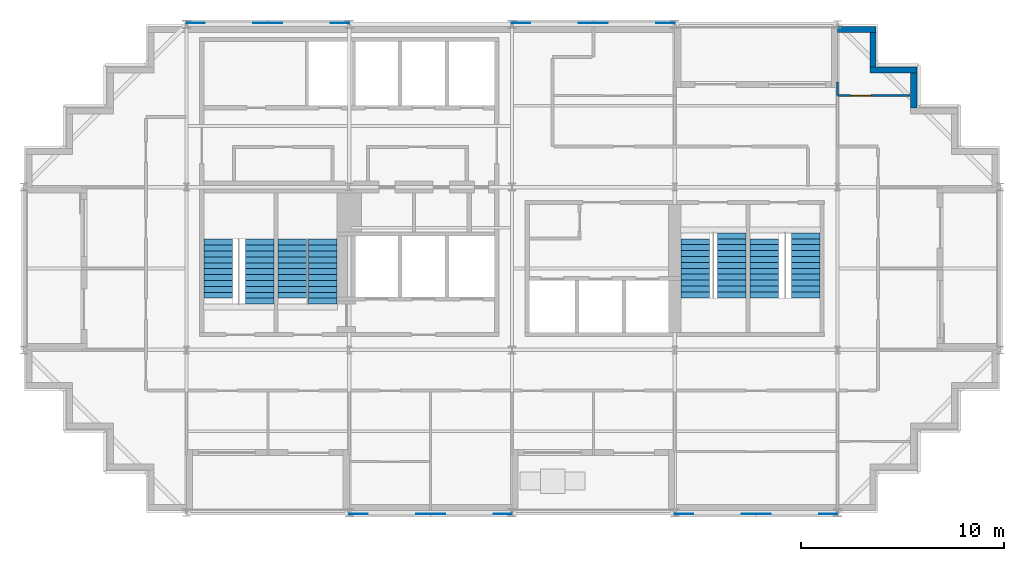
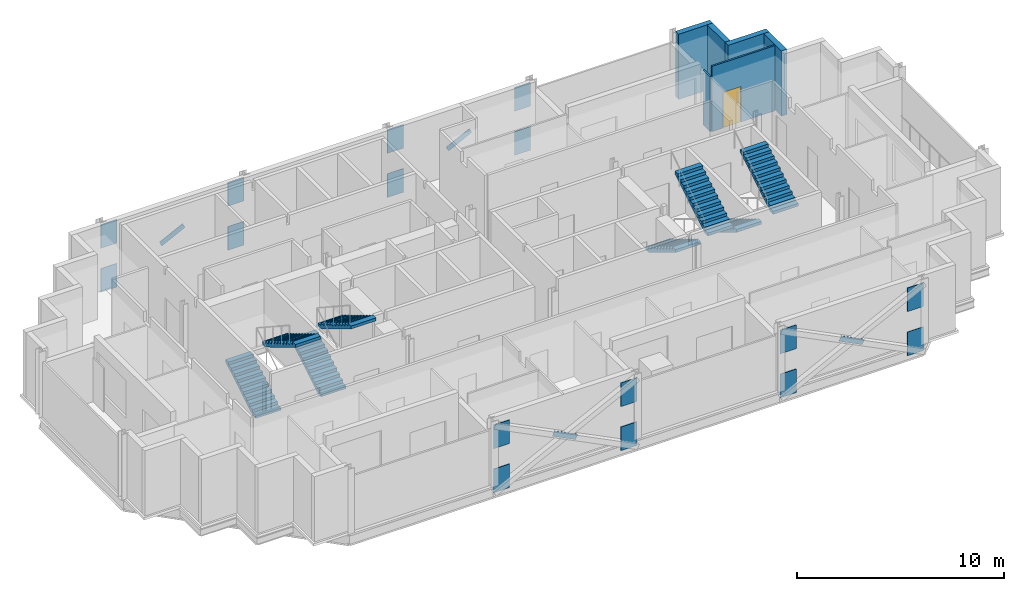
# One storey, part 8 of 10: 20 discrete accessories, 8 stair flights, 6 walls, 1 door, 1 opening, 4 elements without a shape of their own.
"""IFC4 building model written with IfcOpenShell, lengths in metres."""

from ifc_helpers import new_model, si_unit, direction, frame, frame_2d, origin, origin_2d, place, context, subcontext, project, spatial, polyline, rectangle, outline, extrude, material, layer, layer_set, material_profile, profile_set, type_object, element, fill, aggregate, save


model = new_model("IFC4")

# Units and contexts
model_context = context("Model", 3, precision=1e-05, world=origin(), true_north=direction((0.0, 1.0)))
body_context = subcontext(model_context, "Body", "Model", "MODEL_VIEW")
ifc_project = project(units=[si_unit("LENGTHUNIT", "METRE"), si_unit("AREAUNIT", "SQUARE_METRE"), si_unit("VOLUMEUNIT", "CUBIC_METRE"), si_unit("PLANEANGLEUNIT", "RADIAN"), si_unit("MASSUNIT", "GRAM", prefix="KILO")], contexts=[model_context])

# Site, building, storey
site_placement = place(None, origin())
site = spatial("IfcSite", under=ifc_project, at=site_placement, CompositionType="ELEMENT")
building_placement = place(site_placement, origin())
building = spatial("IfcBuilding", under=site, at=building_placement, Name="Immortelle Media Tower", CompositionType="ELEMENT")
storey_placement = place(building_placement, frame((0.0, 0.0, 283.0)))
storey = spatial("IfcBuildingStorey", under=building, at=storey_placement, Name="L62", CompositionType="ELEMENT", Elevation=283.0)

# Walls
ifc_material_1 = material(Name="Pale aluminium cladding panel", Category="aluminium")
ifc_layer_1 = layer(ifc_material_1, 0.030029296875)
ifc_material_2 = material(Name="Steel ASTM A653 SS Gr 50 stud frame with mineral wool", Category="steel")
ifc_layer_2 = layer(ifc_material_2, 0.257568359375)
ifc_material_3 = material(Name="Moisture-resistant gypsum board", Category="gypsum")
ifc_layer_3 = layer(ifc_material_3, 0.012451171875)
ifc_layer_set_1 = layer_set([ifc_layer_1, ifc_layer_2, ifc_layer_3], Name="Steel ASTM A653 SS Gr 50 stud frame with mineral wool")
wall_type_1 = type_object("IfcWallType", Name="Facade wall 300", PredefinedType="SOLIDWALL", material=ifc_layer_set_1)
wall_1_placement = place(storey_placement, frame((43.75, 19.89990234375, 0.0), z_axis=(0.0, 0.0, 1.0), x_axis=(0.0, 1.0, 0.0)))
element("IfcWall", 1, at=wall_1_placement, inside=storey, type_object=wall_type_1, Name="Facade wall L62 E17", PredefinedType="SOLIDWALL", context=body_context, shape_type="SweptSolid", body=[
    extrude(rectangle(XDim=1.7001953125, YDim=0.300048828125, at=frame_2d((0.85009765625, 0.0))), origin(), (0.0, 0.0, 1.0), 3.85009765625),
])
wall_2_placement = place(storey_placement, frame((43.89990234375, 21.75, 0.0), z_axis=(0.0, 0.0, 1.0), x_axis=(-1.0, 0.0, 0.0)))
element("IfcWall", 2, at=wall_2_placement, inside=storey, type_object=wall_type_1, Name="Facade wall L62 N18", PredefinedType="SOLIDWALL", context=body_context, shape_type="SweptSolid", body=[
    extrude(rectangle(XDim=2.2998046875, YDim=0.300048828125, at=frame_2d((1.14990234375, 0.0))), origin(), (0.0, 0.0, 1.0), 3.85009765625),
])
wall_3_placement = place(storey_placement, frame((41.75, 21.89990234375, 0.0), z_axis=(0.0, 0.0, 1.0), x_axis=(0.0, 1.0, 0.0)))
element("IfcWall", 3, at=wall_3_placement, inside=storey, type_object=wall_type_1, Name="Facade wall L62 E19", PredefinedType="SOLIDWALL", context=body_context, shape_type="SweptSolid", body=[
    extrude(rectangle(XDim=1.7001953125, YDim=0.300048828125, at=frame_2d((0.85009765625, 0.0))), origin(), (0.0, 0.0, 1.0), 3.85009765625),
])
wall_4_placement = place(storey_placement, frame((41.89990234375, 23.75, 0.0), z_axis=(0.0, 0.0, 1.0), x_axis=(-1.0, 0.0, 0.0)))
element("IfcWall", 4, at=wall_4_placement, inside=storey, type_object=wall_type_1, Name="Facade wall L62 N20", PredefinedType="SOLIDWALL", context=body_context, shape_type="SweptSolid", body=[
    extrude(rectangle(XDim=1.89990234375, YDim=0.300048828125, at=frame_2d((0.949951171875, 0.0))), origin(), (0.0, 0.0, 1.0), 3.85009765625),
])

# Wall, opening, door
ifc_material_4 = material(Name="Gypsum board", Category="gypsum")
ifc_layer_4 = layer(ifc_material_4, 0.012451171875)
ifc_layer_5 = layer(ifc_material_2, 0.074951171875)
ifc_layer_6 = layer(ifc_material_4, 0.012451171875)
ifc_layer_set_2 = layer_set([ifc_layer_4, ifc_layer_5, ifc_layer_6], Name="Steel ASTM A653 SS Gr 50 stud frame with mineral wool")
wall_type_2 = type_object("IfcWallType", Name="Partition 100", PredefinedType="PARTITIONING", material=ifc_layer_set_2)
wall_5_placement = place(storey_placement, frame((40.050048828125, 20.5, 0.0), z_axis=(0.0, 0.0, 1.0), x_axis=(1.0, 0.0, 0.0)))
wall_5 = element("IfcWall", 5, at=wall_5_placement, inside=storey, type_object=wall_type_2, Name="Partition L62-034", PredefinedType="PARTITIONING", context=body_context, shape_type="SweptSolid", body=[
    extrude(rectangle(XDim=3.52001953125, YDim=0.10009765625, at=frame_2d((1.760009765625, 0.0))), origin(), (0.0, 0.0, 1.0), 3.85009765625),
])
opening_placement = place(wall_5_placement, frame((0.60009765625, 0.0, 0.0)))
opening = element("IfcOpeningElement", 6, at=opening_placement, cuts=wall_5, Name="Opening X5-F019", PredefinedType="OPENING", context=body_context, shape_type="SweptSolid", body=[
    extrude(rectangle(XDim=1.0, YDim=2.10009765625, at=frame_2d((0.5, 1.050048828125))), frame((0.0, 0.06005859375, 0.0), z_axis=(0.0, -1.0, 0.0), x_axis=(1.0, 0.0, 0.0)), (0.0, 0.0, 1.0), 0.1201171875),
])
ifc_material_5 = material(Name="Timber veneered door leaf, galvanised steel frame ASTM A653", Category="steel")
door_type = type_object("IfcDoorType", Name="Room door 1000 x 2100", OperationType="NOTDEFINED", PredefinedType="DOOR", material=ifc_material_5)
door_placement = place(opening_placement, origin())
door = element("IfcDoor", 7, at=door_placement, inside=storey, type_object=door_type, Name="Door X5-F019", OperationType="SINGLE_SWING_LEFT", OverallHeight=2.10009765625, OverallWidth=1.0, PredefinedType="DOOR", context=body_context, shape_type="SweptSolid", body=[
    extrude(rectangle(XDim=1.0, YDim=2.10009765625, at=frame_2d((0.5, 1.050048828125))), frame((0.0, 0.02490234375, 0.0), z_axis=(0.0, -1.0, 0.0), x_axis=(1.0, 0.0, 0.0)), (0.0, 0.0, 1.0), 0.050048828125),
])
fill(opening, door)

# Wall
wall_6_placement = place(storey_placement, frame((40.0, 20.5, 0.0), z_axis=(0.0, 0.0, 1.0), x_axis=(0.0, 1.0, 0.0)))
element("IfcWall", 8, at=wall_6_placement, inside=storey, type_object=wall_type_2, Name="Partition L62-035", PredefinedType="PARTITIONING", context=body_context, shape_type="SweptSolid", body=[
    extrude(rectangle(XDim=0.669921875, YDim=0.10009765625, at=frame_2d((0.3349609375, 0.0))), origin(), (0.0, 0.0, 1.0), 3.238037109375),
])

# Stair, stair flights
ifc_material_6 = material(Name="Steel ASTM A992 Gr 50", Category="steel")
stair_type = type_object("IfcStairType", Name="Stair with flights", PredefinedType="DOUBLE_RETURN_STAIR", material=ifc_material_6)
stair_1_placement = place(storey_placement, origin())
stair_1 = element("IfcStair", 9, at=stair_1_placement, inside=storey, type_object=stair_type, Name="Exit stair SW1", PredefinedType="DOUBLE_RETURN_STAIR")
stair_flight_type = type_object("IfcStairFlightType", Name="Stair flight 1400", PredefinedType="STRAIGHT", material=ifc_material_6)
stair_flight_1_placement = place(storey_placement, frame((9.550048828125, 10.5400390625, 0.0), z_axis=(0.0, 0.0, 1.0), x_axis=(0.0, 1.0, 0.0)))
stair_flight_1 = element("IfcStairFlight", 10, at=stair_flight_1_placement, type_object=stair_flight_type, Name="ST SW1 flight 1", NumberOfRisers=11, NumberOfTreads=10, PredefinedType="STRAIGHT", RiserHeight=0.173913043, TreadLength=0.29, context=body_context, shape_type="SweptSolid", body=[
    extrude(outline(polyline([(0.0, 0.0), (0.0, 0.173828125), (0.2900390625, 0.173828125), (0.2900390625, 0.347900390625), (0.580078125, 0.347900390625), (0.580078125, 0.521728515625), (0.8701171875, 0.521728515625), (0.8701171875, 0.695556640625), (1.159912109375, 0.695556640625), (1.159912109375, 0.86962890625), (1.449951171875, 0.86962890625), (1.449951171875, 1.04345703125), (1.739990234375, 1.04345703125), (1.739990234375, 1.21728515625), (2.030029296875, 1.21728515625), (2.030029296875, 1.391357421875), (2.320068359375, 1.391357421875), (2.320068359375, 1.565185546875), (2.610107421875, 1.565185546875), (2.610107421875, 1.739013671875), (2.89990234375, 1.739013671875), (2.89990234375, 1.9130859375), (2.89990234375, 1.564453125), (0.29150390625, 0.0), (0.0, 0.0)])), frame((0.0, 0.699951171875, 0.0), z_axis=(0.0, -1.0, 0.0), x_axis=(1.0, 0.0, 0.0)), (0.0, 0.0, 1.0), 1.39990234375),
])
stair_flight_2_placement = place(storey_placement, frame((11.60009765625, 13.43994140625, 1.9130859375), z_axis=(0.0, 0.0, 1.0), x_axis=(0.0, -1.0, 0.0)))
stair_flight_2 = element("IfcStairFlight", 11, at=stair_flight_2_placement, type_object=stair_flight_type, Name="ST SW1 flight 2", NumberOfRisers=12, NumberOfTreads=11, PredefinedType="STRAIGHT", RiserHeight=0.173913043, TreadLength=0.29, context=body_context, shape_type="SweptSolid", body=[
    extrude(outline(polyline([(0.0, 0.0), (0.0, 0.173828125), (0.2900390625, 0.173828125), (0.2900390625, 0.347900390625), (0.580078125, 0.347900390625), (0.580078125, 0.521728515625), (0.8701171875, 0.521728515625), (0.8701171875, 0.695556640625), (1.159912109375, 0.695556640625), (1.159912109375, 0.86962890625), (1.449951171875, 0.86962890625), (1.449951171875, 1.04345703125), (1.739990234375, 1.04345703125), (1.739990234375, 1.21728515625), (2.030029296875, 1.21728515625), (2.030029296875, 1.391357421875), (2.320068359375, 1.391357421875), (2.320068359375, 1.565185546875), (2.610107421875, 1.565185546875), (2.610107421875, 1.739013671875), (2.89990234375, 1.739013671875), (2.89990234375, 1.9130859375), (3.18994140625, 1.9130859375), (3.18994140625, 2.0869140625), (3.18994140625, 1.73828125), (0.29150390625, 0.0), (0.0, 0.0)])), frame((0.0, 0.699951171875, 0.0), z_axis=(0.0, -1.0, 0.0), x_axis=(1.0, 0.0, 0.0)), (0.0, 0.0, 1.0), 1.39990234375),
])
aggregate(stair_1, [stair_flight_1, stair_flight_2])

stair_2_placement = place(storey_placement, origin())
stair_2 = element("IfcStair", 12, at=stair_2_placement, inside=storey, type_object=stair_type, Name="Exit stair SW2", PredefinedType="DOUBLE_RETURN_STAIR")
stair_flight_3_placement = place(storey_placement, frame((13.199951171875, 10.5400390625, 0.0), z_axis=(0.0, 0.0, 1.0), x_axis=(0.0, 1.0, 0.0)))
stair_flight_3 = element("IfcStairFlight", 13, at=stair_flight_3_placement, type_object=stair_flight_type, Name="ST SW2 flight 1", NumberOfRisers=11, NumberOfTreads=10, PredefinedType="STRAIGHT", RiserHeight=0.173913043, TreadLength=0.29, context=body_context, shape_type="SweptSolid", body=[
    extrude(outline(polyline([(0.0, 0.0), (0.0, 0.173828125), (0.2900390625, 0.173828125), (0.2900390625, 0.347900390625), (0.580078125, 0.347900390625), (0.580078125, 0.521728515625), (0.8701171875, 0.521728515625), (0.8701171875, 0.695556640625), (1.159912109375, 0.695556640625), (1.159912109375, 0.86962890625), (1.449951171875, 0.86962890625), (1.449951171875, 1.04345703125), (1.739990234375, 1.04345703125), (1.739990234375, 1.21728515625), (2.030029296875, 1.21728515625), (2.030029296875, 1.391357421875), (2.320068359375, 1.391357421875), (2.320068359375, 1.565185546875), (2.610107421875, 1.565185546875), (2.610107421875, 1.739013671875), (2.89990234375, 1.739013671875), (2.89990234375, 1.9130859375), (2.89990234375, 1.564453125), (0.29150390625, 0.0), (0.0, 0.0)])), frame((0.0, 0.699951171875, 0.0), z_axis=(0.0, -1.0, 0.0), x_axis=(1.0, 0.0, 0.0)), (0.0, 0.0, 1.0), 1.39990234375),
])
stair_flight_4_placement = place(storey_placement, frame((14.699951171875, 13.43994140625, 1.9130859375), z_axis=(0.0, 0.0, 1.0), x_axis=(0.0, -1.0, 0.0)))
stair_flight_4 = element("IfcStairFlight", 14, at=stair_flight_4_placement, type_object=stair_flight_type, Name="ST SW2 flight 2", NumberOfRisers=12, NumberOfTreads=11, PredefinedType="STRAIGHT", RiserHeight=0.173913043, TreadLength=0.29, context=body_context, shape_type="SweptSolid", body=[
    extrude(outline(polyline([(0.0, 0.0), (0.0, 0.173828125), (0.2900390625, 0.173828125), (0.2900390625, 0.347900390625), (0.580078125, 0.347900390625), (0.580078125, 0.521728515625), (0.8701171875, 0.521728515625), (0.8701171875, 0.695556640625), (1.159912109375, 0.695556640625), (1.159912109375, 0.86962890625), (1.449951171875, 0.86962890625), (1.449951171875, 1.04345703125), (1.739990234375, 1.04345703125), (1.739990234375, 1.21728515625), (2.030029296875, 1.21728515625), (2.030029296875, 1.391357421875), (2.320068359375, 1.391357421875), (2.320068359375, 1.565185546875), (2.610107421875, 1.565185546875), (2.610107421875, 1.739013671875), (2.89990234375, 1.739013671875), (2.89990234375, 1.9130859375), (3.18994140625, 1.9130859375), (3.18994140625, 2.0869140625), (3.18994140625, 1.73828125), (0.29150390625, 0.0), (0.0, 0.0)])), frame((0.0, 0.699951171875, 0.0), z_axis=(0.0, -1.0, 0.0), x_axis=(1.0, 0.0, 0.0)), (0.0, 0.0, 1.0), 1.39990234375),
])
aggregate(stair_2, [stair_flight_3, stair_flight_4])

stair_3_placement = place(storey_placement, origin())
stair_3 = element("IfcStair", 15, at=stair_3_placement, inside=storey, type_object=stair_type, Name="Exit stair SE1", PredefinedType="DOUBLE_RETURN_STAIR")
stair_flight_5_placement = place(storey_placement, frame((33.0, 13.4599609375, 0.0), z_axis=(0.0, 0.0, 1.0), x_axis=(0.0, -1.0, 0.0)))
stair_flight_5 = element("IfcStairFlight", 16, at=stair_flight_5_placement, type_object=stair_flight_type, Name="ST SE1 flight 1", NumberOfRisers=11, NumberOfTreads=10, PredefinedType="STRAIGHT", RiserHeight=0.173913043, TreadLength=0.29, context=body_context, shape_type="SweptSolid", body=[
    extrude(outline(polyline([(0.0, 0.0), (0.0, 0.173828125), (0.2900390625, 0.173828125), (0.2900390625, 0.347900390625), (0.580078125, 0.347900390625), (0.580078125, 0.521728515625), (0.8701171875, 0.521728515625), (0.8701171875, 0.695556640625), (1.159912109375, 0.695556640625), (1.159912109375, 0.86962890625), (1.449951171875, 0.86962890625), (1.449951171875, 1.04345703125), (1.739990234375, 1.04345703125), (1.739990234375, 1.21728515625), (2.030029296875, 1.21728515625), (2.030029296875, 1.391357421875), (2.320068359375, 1.391357421875), (2.320068359375, 1.565185546875), (2.610107421875, 1.565185546875), (2.610107421875, 1.739013671875), (2.89990234375, 1.739013671875), (2.89990234375, 1.9130859375), (2.89990234375, 1.564453125), (0.29150390625, 0.0), (0.0, 0.0)])), frame((0.0, 0.699951171875, 0.0), z_axis=(0.0, -1.0, 0.0), x_axis=(1.0, 0.0, 0.0)), (0.0, 0.0, 1.0), 1.39990234375),
])
stair_flight_6_placement = place(storey_placement, frame((34.800048828125, 10.56005859375, 1.9130859375), z_axis=(0.0, 0.0, 1.0), x_axis=(0.0, 1.0, 0.0)))
stair_flight_6 = element("IfcStairFlight", 17, at=stair_flight_6_placement, type_object=stair_flight_type, Name="ST SE1 flight 2", NumberOfRisers=12, NumberOfTreads=11, PredefinedType="STRAIGHT", RiserHeight=0.173913043, TreadLength=0.29, context=body_context, shape_type="SweptSolid", body=[
    extrude(outline(polyline([(0.0, 0.0), (0.0, 0.173828125), (0.2900390625, 0.173828125), (0.2900390625, 0.347900390625), (0.580078125, 0.347900390625), (0.580078125, 0.521728515625), (0.8701171875, 0.521728515625), (0.8701171875, 0.695556640625), (1.159912109375, 0.695556640625), (1.159912109375, 0.86962890625), (1.449951171875, 0.86962890625), (1.449951171875, 1.04345703125), (1.739990234375, 1.04345703125), (1.739990234375, 1.21728515625), (2.030029296875, 1.21728515625), (2.030029296875, 1.391357421875), (2.320068359375, 1.391357421875), (2.320068359375, 1.565185546875), (2.610107421875, 1.565185546875), (2.610107421875, 1.739013671875), (2.89990234375, 1.739013671875), (2.89990234375, 1.9130859375), (3.18994140625, 1.9130859375), (3.18994140625, 2.0869140625), (3.18994140625, 1.73828125), (0.29150390625, 0.0), (0.0, 0.0)])), frame((0.0, 0.699951171875, 0.0), z_axis=(0.0, -1.0, 0.0), x_axis=(1.0, 0.0, 0.0)), (0.0, 0.0, 1.0), 1.39990234375),
])
aggregate(stair_3, [stair_flight_5, stair_flight_6])

stair_4_placement = place(storey_placement, origin())
stair_4 = element("IfcStair", 18, at=stair_4_placement, inside=storey, type_object=stair_type, Name="Exit stair SE2", PredefinedType="DOUBLE_RETURN_STAIR")
stair_flight_7_placement = place(storey_placement, frame((36.39990234375, 13.4599609375, 0.0), z_axis=(0.0, 0.0, 1.0), x_axis=(0.0, -1.0, 0.0)))
stair_flight_7 = element("IfcStairFlight", 19, at=stair_flight_7_placement, type_object=stair_flight_type, Name="ST SE2 flight 1", NumberOfRisers=11, NumberOfTreads=10, PredefinedType="STRAIGHT", RiserHeight=0.173913043, TreadLength=0.29, context=body_context, shape_type="SweptSolid", body=[
    extrude(outline(polyline([(0.0, 0.0), (0.0, 0.173828125), (0.2900390625, 0.173828125), (0.2900390625, 0.347900390625), (0.580078125, 0.347900390625), (0.580078125, 0.521728515625), (0.8701171875, 0.521728515625), (0.8701171875, 0.695556640625), (1.159912109375, 0.695556640625), (1.159912109375, 0.86962890625), (1.449951171875, 0.86962890625), (1.449951171875, 1.04345703125), (1.739990234375, 1.04345703125), (1.739990234375, 1.21728515625), (2.030029296875, 1.21728515625), (2.030029296875, 1.391357421875), (2.320068359375, 1.391357421875), (2.320068359375, 1.565185546875), (2.610107421875, 1.565185546875), (2.610107421875, 1.739013671875), (2.89990234375, 1.739013671875), (2.89990234375, 1.9130859375), (2.89990234375, 1.564453125), (0.29150390625, 0.0), (0.0, 0.0)])), frame((0.0, 0.699951171875, 0.0), z_axis=(0.0, -1.0, 0.0), x_axis=(1.0, 0.0, 0.0)), (0.0, 0.0, 1.0), 1.39990234375),
])
stair_flight_8_placement = place(storey_placement, frame((38.449951171875, 10.56005859375, 1.9130859375), z_axis=(0.0, 0.0, 1.0), x_axis=(0.0, 1.0, 0.0)))
stair_flight_8 = element("IfcStairFlight", 20, at=stair_flight_8_placement, type_object=stair_flight_type, Name="ST SE2 flight 2", NumberOfRisers=12, NumberOfTreads=11, PredefinedType="STRAIGHT", RiserHeight=0.173913043, TreadLength=0.29, context=body_context, shape_type="SweptSolid", body=[
    extrude(outline(polyline([(0.0, 0.0), (0.0, 0.173828125), (0.2900390625, 0.173828125), (0.2900390625, 0.347900390625), (0.580078125, 0.347900390625), (0.580078125, 0.521728515625), (0.8701171875, 0.521728515625), (0.8701171875, 0.695556640625), (1.159912109375, 0.695556640625), (1.159912109375, 0.86962890625), (1.449951171875, 0.86962890625), (1.449951171875, 1.04345703125), (1.739990234375, 1.04345703125), (1.739990234375, 1.21728515625), (2.030029296875, 1.21728515625), (2.030029296875, 1.391357421875), (2.320068359375, 1.391357421875), (2.320068359375, 1.565185546875), (2.610107421875, 1.565185546875), (2.610107421875, 1.739013671875), (2.89990234375, 1.739013671875), (2.89990234375, 1.9130859375), (3.18994140625, 1.9130859375), (3.18994140625, 2.0869140625), (3.18994140625, 1.73828125), (0.29150390625, 0.0), (0.0, 0.0)])), frame((0.0, 0.699951171875, 0.0), z_axis=(0.0, -1.0, 0.0), x_axis=(1.0, 0.0, 0.0)), (0.0, 0.0, 1.0), 1.39990234375),
])
aggregate(stair_4, [stair_flight_7, stair_flight_8])

# Discrete accessories
ifc_material_7 = material(Name="Steel ASTM A572 Gr 50", Category="steel")
ifc_material_profile_1 = material_profile(ifc_material_7, rectangle(XDim=0.02001953125, YDim=0.304931640625, at=origin_2d()), Name="PL 20 x 305")
ifc_profile_set_1 = profile_set([ifc_material_profile_1], Name="Steel ASTM A572 Gr 50")
discrete_accessory_type_1 = type_object("IfcDiscreteAccessoryType", Name="Crossing plate XP-BR7 1450 x 305 x 20", PredefinedType="USERDEFINED", material=ifc_profile_set_1)
for number, where, z_axis, x_axis, name in (
    (21, (28.6484375, 24.0625, 1.873291015625), (-0.894427191, 0.0, -0.4472135955), (0.0, -1.0, 0.0), "Crossing plate XP-BR7 of Brace D/4-5 A and Brace D/4-5 B"),
    (22, (12.6484375, 24.0625, 1.873291015625), (-0.894427191, 0.0, -0.4472135955), (0.0, -1.0, 0.0), "Crossing plate XP-BR7 of Brace D/2-3 A and Brace D/2-3 B"),
    (23, (19.3515625, -0.0625, 1.873291015625), (0.894427191, 0.0, -0.4472135955), (0.0, 1.0, 0.0), "Crossing plate XP-BR7 of Brace A/3-4 A and Brace A/3-4 B"),
    (24, (35.3515625, -0.0625, 1.873291015625), (0.894427191, 0.0, -0.4472135955), (0.0, 1.0, 0.0), "Crossing plate XP-BR7 of Brace A/5-6 A and Brace A/5-6 B"),
):
    element("IfcDiscreteAccessory", number, at=place(storey_placement, frame(where, z_axis=z_axis, x_axis=x_axis)), inside=storey, type_object=discrete_accessory_type_1, Name=name, ObjectType="CROSSING PLATE", PredefinedType="USERDEFINED", context=body_context, shape_type="SweptSolid", body=[
        extrude(rectangle(XDim=0.02001953125, YDim=0.304931640625, at=origin_2d()), origin(), (0.0, 0.0, 1.0), 1.449951171875),
    ])
ifc_material_profile_2 = material_profile(ifc_material_7, rectangle(XDim=0.031982421875, YDim=1.39990234375, at=origin_2d()), Name="PL 32 x 1400")
ifc_profile_set_2 = profile_set([ifc_material_profile_2], Name="Steel ASTM A572 Gr 50")
discrete_accessory_type_2 = type_object("IfcDiscreteAccessoryType", Name="Gusset plate GP1 900 x 1400 x 32", PredefinedType="USERDEFINED", material=ifc_profile_set_2)
for number, where, z_axis, x_axis, name in (
    (25, (16.0, -0.0625, 0.2490234375), (1.0, 0.0, 0.0), (0.0, 1.0, 0.0), "Gusset plate GP1, lower end of Brace A/3-4 A"),
    (26, (24.0, -0.0625, 2.84912109375), (-1.0, 0.0, 0.0), (0.0, -1.0, 0.0), "Gusset plate GP1, upper end of Brace A/3-4 A"),
    (27, (24.0, -0.0625, 0.2490234375), (-1.0, 0.0, 0.0), (0.0, -1.0, 0.0), "Gusset plate GP1, lower end of Brace A/3-4 B"),
    (28, (16.0, -0.0625, 2.84912109375), (1.0, 0.0, 0.0), (0.0, 1.0, 0.0), "Gusset plate GP1, upper end of Brace A/3-4 B"),
    (29, (32.0, -0.0625, 0.2490234375), (1.0, 0.0, 0.0), (0.0, 1.0, 0.0), "Gusset plate GP1, lower end of Brace A/5-6 A"),
    (30, (40.0, -0.0625, 2.84912109375), (-1.0, 0.0, 0.0), (0.0, -1.0, 0.0), "Gusset plate GP1, upper end of Brace A/5-6 A"),
    (31, (40.0, -0.0625, 0.2490234375), (-1.0, 0.0, 0.0), (0.0, -1.0, 0.0), "Gusset plate GP1, lower end of Brace A/5-6 B"),
    (32, (32.0, -0.0625, 2.84912109375), (1.0, 0.0, 0.0), (0.0, 1.0, 0.0), "Gusset plate GP1, upper end of Brace A/5-6 B"),
    (33, (32.0, 24.0625, 0.2490234375), (-1.0, 0.0, 0.0), (0.0, -1.0, 0.0), "Gusset plate GP1, lower end of Brace D/4-5 A"),
    (34, (24.0, 24.0625, 2.84912109375), (1.0, 0.0, 0.0), (0.0, 1.0, 0.0), "Gusset plate GP1, upper end of Brace D/4-5 A"),
    (35, (24.0, 24.0625, 0.2490234375), (1.0, 0.0, 0.0), (0.0, 1.0, 0.0), "Gusset plate GP1, lower end of Brace D/4-5 B"),
    (36, (32.0, 24.0625, 2.84912109375), (-1.0, 0.0, 0.0), (0.0, -1.0, 0.0), "Gusset plate GP1, upper end of Brace D/4-5 B"),
    (37, (16.0, 24.0625, 0.2490234375), (-1.0, 0.0, 0.0), (0.0, -1.0, 0.0), "Gusset plate GP1, lower end of Brace D/2-3 A"),
    (38, (8.0, 24.0625, 2.84912109375), (1.0, 0.0, 0.0), (0.0, 1.0, 0.0), "Gusset plate GP1, upper end of Brace D/2-3 A"),
    (39, (8.0, 24.0625, 0.2490234375), (1.0, 0.0, 0.0), (0.0, 1.0, 0.0), "Gusset plate GP1, lower end of Brace D/2-3 B"),
    (40, (16.0, 24.0625, 2.84912109375), (-1.0, 0.0, 0.0), (0.0, -1.0, 0.0), "Gusset plate GP1, upper end of Brace D/2-3 B"),
):
    element("IfcDiscreteAccessory", number, at=place(storey_placement, frame(where, z_axis=z_axis, x_axis=x_axis)), inside=storey, type_object=discrete_accessory_type_2, Name=name, ObjectType="GUSSET PLATE", PredefinedType="USERDEFINED", context=body_context, shape_type="SweptSolid", body=[
        extrude(rectangle(XDim=0.031982421875, YDim=1.39990234375, at=origin_2d()), origin(), (0.0, 0.0, 1.0), 0.89990234375),
    ])

save(model, "model.ifc")
